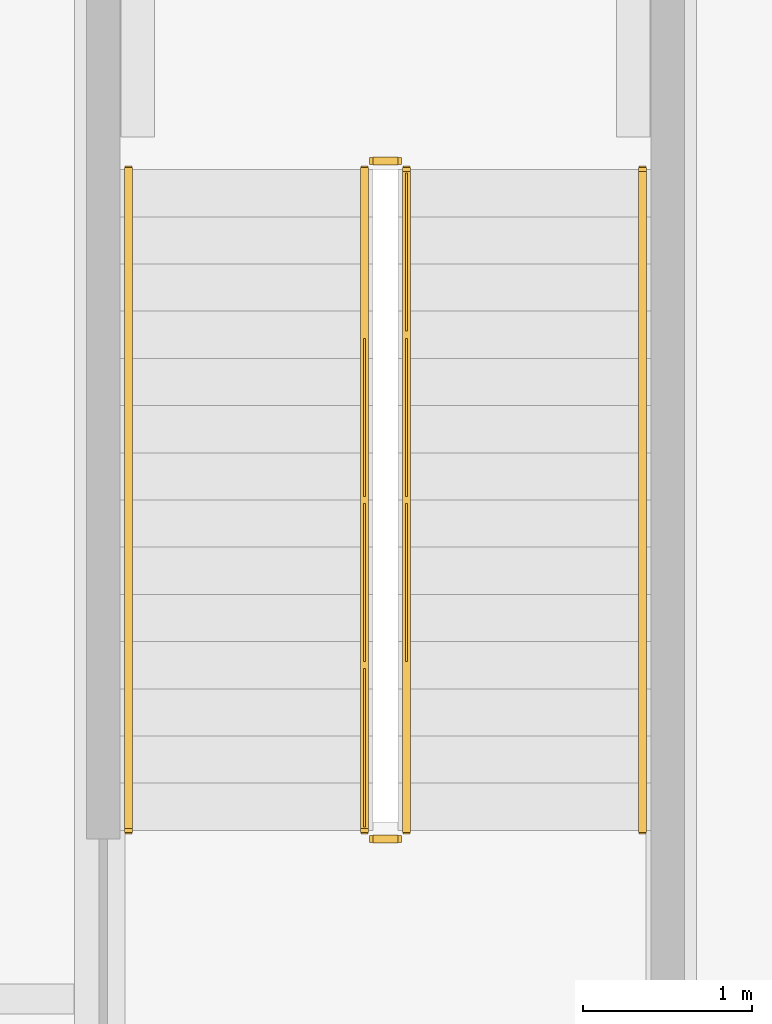
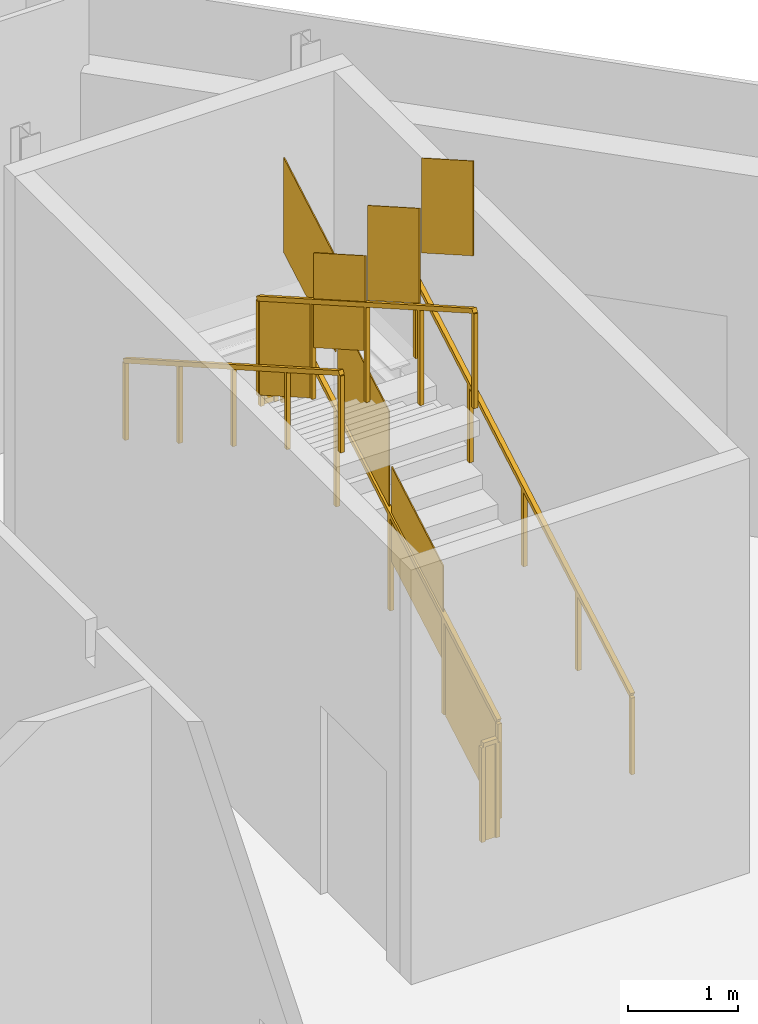
# One storey, part 26 of 26: 6 railings.
"""IFC4 building model written with IfcOpenShell, lengths in metres."""

from ifc_helpers import new_model, si_unit, direction, frame, origin, origin_2d, place, context, subcontext, project, spatial, polyline, rectangle, outline, extrude, material, type_object, element, save


model = new_model("IFC4")

# Units and contexts
model_context = context("Model", 3, precision=1e-05, world=origin(), true_north=direction((0.0, 1.0)))
body_context = subcontext(model_context, "Body", "Model", "MODEL_VIEW")
ifc_project = project(units=[si_unit("LENGTHUNIT", "METRE"), si_unit("AREAUNIT", "SQUARE_METRE"), si_unit("VOLUMEUNIT", "CUBIC_METRE"), si_unit("PLANEANGLEUNIT", "RADIAN"), si_unit("MASSUNIT", "GRAM", prefix="KILO")], contexts=[model_context])

# Site, building, storey
site_placement = place(None, origin())
site = spatial("IfcSite", under=ifc_project, at=site_placement, CompositionType="ELEMENT")
building_placement = place(site_placement, origin())
building = spatial("IfcBuilding", under=site, at=building_placement, Name="Cairn Pilgrim Tower", CompositionType="ELEMENT")
storey_placement = place(building_placement, frame((0.0, 0.0, 25.800048828125)))
storey = spatial("IfcBuildingStorey", under=building, at=storey_placement, Name="L04", CompositionType="ELEMENT", Elevation=25.800048828125)

# Railings
ifc_material = material(Name="Painted steel", Category="steel")
railing_type_1 = type_object("IfcRailingType", Name="PODIUM STAIR GUARD 1100", PredefinedType="GUARDRAIL", material=ifc_material)
railing_1_placement = place(storey_placement, frame((32.699951171875, 20.199951171875, 0.159912109375)))
element("IfcRailing", 1, at=railing_1_placement, inside=storey, type_object=railing_type_1, Name="L04 ST-ES4 stair guard 1", PredefinedType="GUARDRAIL", context=body_context, shape_type="SweptSolid", body=[
    extrude(rectangle(XDim=0.048095703125, YDim=0.048095703125, at=origin_2d()), frame((0.0, 0.0, 1.076171875), z_axis=(0.0, 0.86825312469, 0.496121468458), x_axis=(-1.0, 0.0, 0.0)), (0.0, 0.0, 1.0), 4.514892578125),
    extrude(rectangle(XDim=0.0419921875, YDim=0.0419921875, at=origin_2d()), origin(), (0.0, 0.0, 1.0), 1.052001953125),
    extrude(rectangle(XDim=0.0419921875, YDim=0.0419921875, at=origin_2d()), frame((0.0, 0.97998046875, 0.56005859375)), (0.0, 0.0, 1.0), 1.052001953125),
    extrude(rectangle(XDim=0.0419921875, YDim=0.0419921875, at=origin_2d()), frame((0.0, 1.9599609375, 1.1201171875)), (0.0, 0.0, 1.0), 1.052001953125),
    extrude(rectangle(XDim=0.0419921875, YDim=0.0419921875, at=origin_2d()), frame((0.0, 2.940185546875, 1.679931640625)), (0.0, 0.0, 1.0), 1.052001953125),
    extrude(rectangle(XDim=0.0419921875, YDim=0.0419921875, at=origin_2d()), frame((0.0, 3.920166015625, 2.239990234375)), (0.0, 0.0, 1.0), 1.052001953125),
    extrude(outline(polyline([(0.02099609375, 0.011962890625), (0.958984375, 0.548095703125), (0.958984375, 1.60009765625), (0.02099609375, 1.06396484375), (0.02099609375, 0.011962890625)])), frame((-0.005859375, 0.0, 0.0), z_axis=(1.0, 0.0, 0.0), x_axis=(0.0, 1.0, 0.0)), (0.0, 0.0, 1.0), 0.011962890625),
    extrude(outline(polyline([(0.02099609375, 0.572021484375), (0.958984375, 1.10791015625), (0.958984375, 2.159912109375), (0.02099609375, 1.6240234375), (0.02099609375, 0.572021484375)])), frame((-0.005859375, 0.97998046875, 0.56005859375), z_axis=(1.0, 0.0, 0.0), x_axis=(0.0, 1.0, 0.0)), (0.0, 0.0, 1.0), 0.011962890625),
    extrude(outline(polyline([(0.02099609375, 1.132080078125), (0.958984375, 1.66796875), (0.958984375, 2.719970703125), (0.02099609375, 2.18408203125), (0.02099609375, 1.132080078125)])), frame((-0.005859375, 1.9599609375, 1.1201171875), z_axis=(1.0, 0.0, 0.0), x_axis=(0.0, 1.0, 0.0)), (0.0, 0.0, 1.0), 0.011962890625),
    extrude(outline(polyline([(0.02099609375, 1.69189453125), (0.958984375, 2.22802734375), (0.958984375, 3.280029296875), (0.02099609375, 2.743896484375), (0.02099609375, 1.69189453125)])), frame((-0.005859375, 2.940185546875, 1.679931640625), z_axis=(1.0, 0.0, 0.0), x_axis=(0.0, 1.0, 0.0)), (0.0, 0.0, 1.0), 0.011962890625),
])
railing_2_placement = place(storey_placement, frame((32.64990234375, 24.169921875, 2.39990234375)))
element("IfcRailing", 2, at=railing_2_placement, inside=storey, type_object=railing_type_1, Name="L04 ST-ES4 stair guard 2", PredefinedType="GUARDRAIL", context=body_context, shape_type="SweptSolid", body=[
    extrude(rectangle(XDim=0.048095703125, YDim=0.048095703125, at=origin_2d()), frame((0.0, 0.0, 1.076171875), z_axis=(-1.0, 0.0, 0.0), x_axis=(0.0, -1.0, 0.0)), (0.0, 0.0, 1.0), 0.14990234375),
    extrude(rectangle(XDim=0.0419921875, YDim=0.0419921875, at=origin_2d()), origin(), (0.0, 0.0, 1.0), 1.052001953125),
    extrude(rectangle(XDim=0.0419921875, YDim=0.0419921875, at=origin_2d()), frame((-0.14990234375, 0.0, 0.0)), (0.0, 0.0, 1.0), 1.052001953125),
    extrude(outline(polyline([(0.02099609375, 0.0), (0.12890625, 0.0), (0.12890625, 1.052001953125), (0.02099609375, 1.052001953125), (0.02099609375, 0.0)])), frame((0.0, -0.005859375, 0.0), z_axis=(0.0, 1.0, 0.0), x_axis=(-1.0, 0.0, 0.0)), (0.0, 0.0, 1.0), 0.011962890625),
])
railing_3_placement = place(storey_placement, frame((32.449951171875, 24.1201171875, 2.56005859375)))
element("IfcRailing", 3, at=railing_3_placement, inside=storey, type_object=railing_type_1, Name="L04 ST-ES4 stair guard 3", PredefinedType="GUARDRAIL", context=body_context, shape_type="SweptSolid", body=[
    extrude(rectangle(XDim=0.048095703125, YDim=0.048095703125, at=origin_2d()), frame((0.0, 0.0, 1.076171875), z_axis=(0.0, -0.86825312469, 0.496121468458), x_axis=(1.0, 0.0, 0.0)), (0.0, 0.0, 1.0), 4.514892578125),
    extrude(rectangle(XDim=0.0419921875, YDim=0.0419921875, at=origin_2d()), origin(), (0.0, 0.0, 1.0), 1.052001953125),
    extrude(rectangle(XDim=0.0419921875, YDim=0.0419921875, at=origin_2d()), frame((0.0, -0.97998046875, 0.56005859375)), (0.0, 0.0, 1.0), 1.052001953125),
    extrude(rectangle(XDim=0.0419921875, YDim=0.0419921875, at=origin_2d()), frame((0.0, -1.9599609375, 1.1201171875)), (0.0, 0.0, 1.0), 1.052001953125),
    extrude(rectangle(XDim=0.0419921875, YDim=0.0419921875, at=origin_2d()), frame((0.0, -2.940185546875, 1.679931640625)), (0.0, 0.0, 1.0), 1.052001953125),
    extrude(rectangle(XDim=0.0419921875, YDim=0.0419921875, at=origin_2d()), frame((0.0, -3.920166015625, 2.239990234375)), (0.0, 0.0, 1.0), 1.052001953125),
    extrude(outline(polyline([(0.02099609375, 0.011962890625), (0.958984375, 0.548095703125), (0.958984375, 1.60009765625), (0.02099609375, 1.06396484375), (0.02099609375, 0.011962890625)])), frame((0.005859375, 0.0, 0.0), z_axis=(-1.0, 0.0, 0.0), x_axis=(0.0, -1.0, 0.0)), (0.0, 0.0, 1.0), 0.011962890625),
    extrude(outline(polyline([(0.02099609375, 0.572021484375), (0.958984375, 1.10791015625), (0.958984375, 2.159912109375), (0.02099609375, 1.6240234375), (0.02099609375, 0.572021484375)])), frame((0.005859375, -0.97998046875, 0.56005859375), z_axis=(-1.0, 0.0, 0.0), x_axis=(0.0, -1.0, 0.0)), (0.0, 0.0, 1.0), 0.011962890625),
    extrude(outline(polyline([(0.02099609375, 1.132080078125), (0.958984375, 1.66796875), (0.958984375, 2.719970703125), (0.02099609375, 2.18408203125), (0.02099609375, 1.132080078125)])), frame((0.005859375, -1.9599609375, 1.1201171875), z_axis=(-1.0, 0.0, 0.0), x_axis=(0.0, -1.0, 0.0)), (0.0, 0.0, 1.0), 0.011962890625),
    extrude(outline(polyline([(0.02099609375, 1.69189453125), (0.958984375, 2.22802734375), (0.958984375, 3.280029296875), (0.02099609375, 2.743896484375), (0.02099609375, 1.69189453125)])), frame((0.005859375, -2.940185546875, 1.679931640625), z_axis=(-1.0, 0.0, 0.0), x_axis=(0.0, -1.0, 0.0)), (0.0, 0.0, 1.0), 0.011962890625),
])
railing_4_placement = place(storey_placement, frame((32.64990234375, 20.14990234375, 0.0)))
element("IfcRailing", 4, at=railing_4_placement, inside=storey, type_object=railing_type_1, Name="L04 ST-ES4 stair guard 4", PredefinedType="GUARDRAIL", context=body_context, shape_type="SweptSolid", body=[
    extrude(rectangle(XDim=0.048095703125, YDim=0.048095703125, at=origin_2d()), frame((0.0, 0.0, 1.076171875), z_axis=(-1.0, 0.0, 0.0), x_axis=(0.0, -1.0, 0.0)), (0.0, 0.0, 1.0), 0.14990234375),
    extrude(rectangle(XDim=0.0419921875, YDim=0.0419921875, at=origin_2d()), origin(), (0.0, 0.0, 1.0), 1.052001953125),
    extrude(rectangle(XDim=0.0419921875, YDim=0.0419921875, at=origin_2d()), frame((-0.14990234375, 0.0, 0.0)), (0.0, 0.0, 1.0), 1.052001953125),
    extrude(outline(polyline([(0.02099609375, 0.0), (0.12890625, 0.0), (0.12890625, 1.052001953125), (0.02099609375, 1.052001953125), (0.02099609375, 0.0)])), frame((0.0, -0.005859375, 0.0), z_axis=(0.0, 1.0, 0.0), x_axis=(-1.0, 0.0, 0.0)), (0.0, 0.0, 1.0), 0.011962890625),
])
railing_type_2 = type_object("IfcRailingType", Name="PODIUM STAIR HANDRAIL 900", PredefinedType="HANDRAIL", material=ifc_material)
railing_5_placement = place(storey_placement, frame((34.10009765625, 20.199951171875, 0.159912109375)))
element("IfcRailing", 5, at=railing_5_placement, inside=storey, type_object=railing_type_2, Name="L04 ST-ES4 stair handrail 1", PredefinedType="HANDRAIL", context=body_context, shape_type="SweptSolid", body=[
    extrude(rectangle(XDim=0.048095703125, YDim=0.048095703125, at=origin_2d()), frame((0.0, 0.0, 0.8759765625), z_axis=(0.0, 0.86825312469, 0.496121468458), x_axis=(-1.0, 0.0, 0.0)), (0.0, 0.0, 1.0), 4.514892578125),
    extrude(rectangle(XDim=0.0419921875, YDim=0.0419921875, at=origin_2d()), origin(), (0.0, 0.0, 1.0), 0.851806640625),
    extrude(rectangle(XDim=0.0419921875, YDim=0.0419921875, at=origin_2d()), frame((0.0, 0.97998046875, 0.56005859375)), (0.0, 0.0, 1.0), 0.851806640625),
    extrude(rectangle(XDim=0.0419921875, YDim=0.0419921875, at=origin_2d()), frame((0.0, 1.9599609375, 1.1201171875)), (0.0, 0.0, 1.0), 0.851806640625),
    extrude(rectangle(XDim=0.0419921875, YDim=0.0419921875, at=origin_2d()), frame((0.0, 2.940185546875, 1.679931640625)), (0.0, 0.0, 1.0), 0.851806640625),
    extrude(rectangle(XDim=0.0419921875, YDim=0.0419921875, at=origin_2d()), frame((0.0, 3.920166015625, 2.239990234375)), (0.0, 0.0, 1.0), 0.851806640625),
])
railing_6_placement = place(storey_placement, frame((31.050048828125, 24.1201171875, 2.56005859375)))
element("IfcRailing", 6, at=railing_6_placement, inside=storey, type_object=railing_type_2, Name="L04 ST-ES4 stair handrail 2", PredefinedType="HANDRAIL", context=body_context, shape_type="SweptSolid", body=[
    extrude(rectangle(XDim=0.048095703125, YDim=0.048095703125, at=origin_2d()), frame((0.0, 0.0, 0.8759765625), z_axis=(0.0, -0.86825312469, 0.496121468458), x_axis=(1.0, 0.0, 0.0)), (0.0, 0.0, 1.0), 4.514892578125),
    extrude(rectangle(XDim=0.0419921875, YDim=0.0419921875, at=origin_2d()), origin(), (0.0, 0.0, 1.0), 0.851806640625),
    extrude(rectangle(XDim=0.0419921875, YDim=0.0419921875, at=origin_2d()), frame((0.0, -0.97998046875, 0.56005859375)), (0.0, 0.0, 1.0), 0.851806640625),
    extrude(rectangle(XDim=0.0419921875, YDim=0.0419921875, at=origin_2d()), frame((0.0, -1.9599609375, 1.1201171875)), (0.0, 0.0, 1.0), 0.851806640625),
    extrude(rectangle(XDim=0.0419921875, YDim=0.0419921875, at=origin_2d()), frame((0.0, -2.940185546875, 1.679931640625)), (0.0, 0.0, 1.0), 0.851806640625),
    extrude(rectangle(XDim=0.0419921875, YDim=0.0419921875, at=origin_2d()), frame((0.0, -3.920166015625, 2.239990234375)), (0.0, 0.0, 1.0), 0.851806640625),
])

save(model, "model.ifc")
